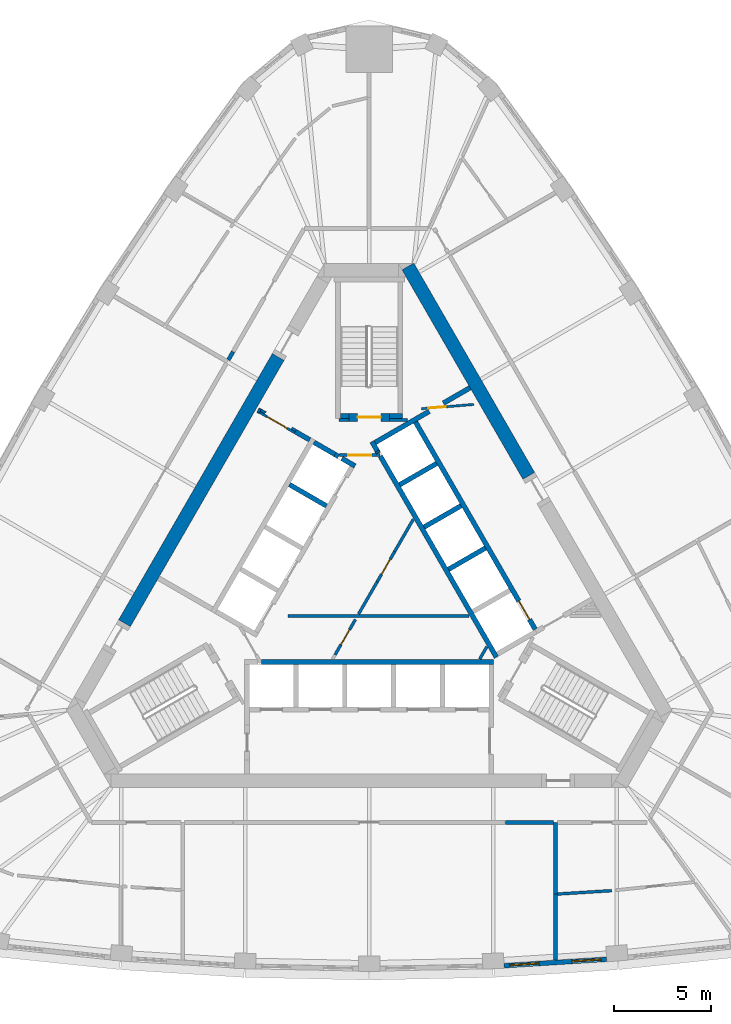
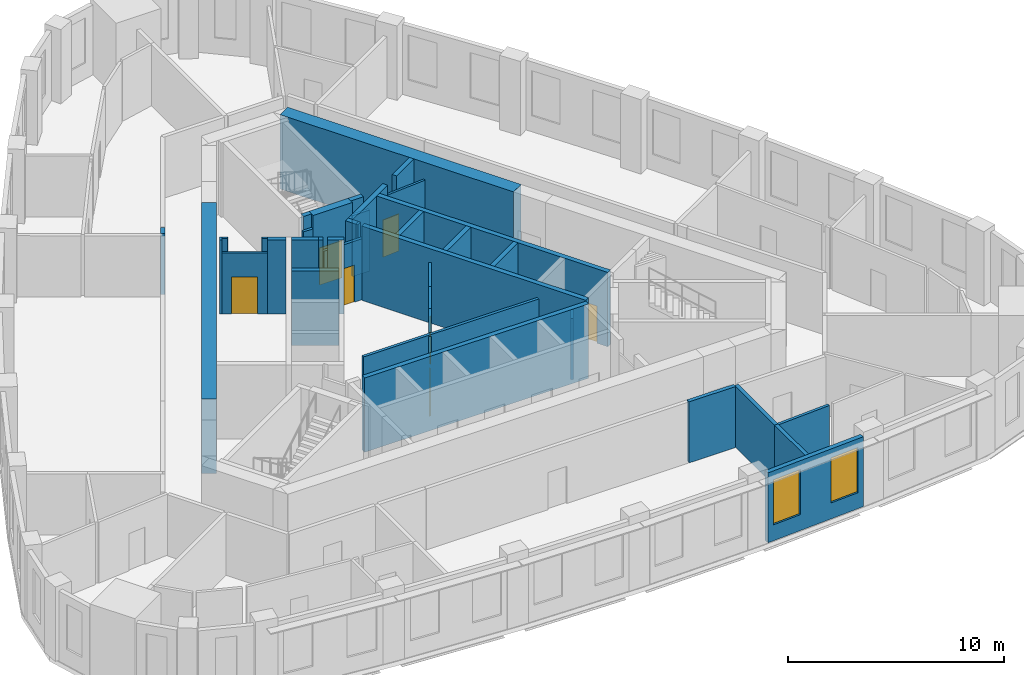
# One storey, part 5 of 10: 40 walls, 7 doors, 2 windows, 9 openings.
"""IFC4 building model written with IfcOpenShell, lengths in metres."""

from ifc_helpers import new_model, si_unit, direction, frame, frame_2d, origin, place, context, subcontext, project, spatial, polyline, rectangle, outline, extrude, material, layer, layer_set, type_object, element, fill, save


model = new_model("IFC4")

# Units and contexts
model_context = context("Model", 3, precision=1e-05, world=origin(), true_north=direction((0.0, 1.0)))
body_context = subcontext(model_context, "Body", "Model", "MODEL_VIEW")
ifc_project = project(units=[si_unit("LENGTHUNIT", "METRE"), si_unit("AREAUNIT", "SQUARE_METRE"), si_unit("VOLUMEUNIT", "CUBIC_METRE"), si_unit("PLANEANGLEUNIT", "RADIAN"), si_unit("MASSUNIT", "GRAM", prefix="KILO")], contexts=[model_context])

# Site, building, storey
site_placement = place(None, origin())
site = spatial("IfcSite", under=ifc_project, at=site_placement, CompositionType="ELEMENT")
building_placement = place(site_placement, origin())
building = spatial("IfcBuilding", under=site, at=building_placement, Name="Mestral Congress Tower", CompositionType="ELEMENT")
storey_placement = place(building_placement, frame((0.0, 0.0, 243.60009765625)))
storey = spatial("IfcBuildingStorey", under=building, at=storey_placement, Name="L57", CompositionType="ELEMENT", Elevation=243.60009765625)

# Walls
ifc_material_1 = material(Name="Fire-rated board partition")
ifc_layer_1 = layer(ifc_material_1, 0.14990234375)
ifc_layer_set_1 = layer_set([ifc_layer_1], Name="Fire-rated board partition")
wall_type_1 = type_object("IfcWallType", Name="Core partition 150", PredefinedType="PARTITIONING", material=ifc_layer_set_1)
wall_1_placement = place(storey_placement, frame((1.050048828125, 8.62548828125, 0.0), z_axis=(0.0, 0.0, 1.0), x_axis=(1.0, 0.0, 0.0)))
element("IfcWall", 1, at=wall_1_placement, inside=storey, type_object=wall_type_1, Name="L57 core wall", PredefinedType="PARTITIONING", context=body_context, shape_type="SweptSolid", body=[
    extrude(rectangle(XDim=0.9287109375, YDim=0.14990234375, at=frame_2d((0.46435546875, 0.0))), origin(), (0.0, 0.0, 1.0), 3.449951171875),
])
wall_2_placement = place(storey_placement, frame((-1.56396484375, 8.62548828125, 0.0), z_axis=(0.0, 0.0, 1.0), x_axis=(1.0, 0.0, 0.0)))
element("IfcWall", 2, at=wall_2_placement, inside=storey, type_object=wall_type_1, Name="L57 core wall", PredefinedType="PARTITIONING", context=body_context, shape_type="SweptSolid", body=[
    extrude(rectangle(XDim=0.513916015625, YDim=0.14990234375, at=frame_2d((0.2568359375, 0.0))), origin(), (0.0, 0.0, 1.0), 3.449951171875),
])
wall_3_placement = place(storey_placement, frame((5.704833984375, -3.718017578125, 0.0), z_axis=(0.0, 0.0, 1.0), x_axis=(0.499962090823, 0.866047289552, 0.0)))
element("IfcWall", 3, at=wall_3_placement, inside=storey, type_object=wall_type_1, Name="L57 core wall", PredefinedType="PARTITIONING", context=body_context, shape_type="SweptSolid", body=[
    extrude(rectangle(XDim=0.73486328125, YDim=0.14990234375, at=frame_2d((0.367431640625, 0.0))), origin(), (0.0, 0.0, 1.0), 3.449951171875),
])
wall_4_placement = place(storey_placement, frame((-4.199951171875, -1.5, 0.0), z_axis=(0.0, 0.0, 1.0), x_axis=(1.0, 0.0, 0.0)))
element("IfcWall", 4, at=wall_4_placement, inside=storey, type_object=wall_type_1, Name="L57 core wall", PredefinedType="PARTITIONING", context=body_context, shape_type="SweptSolid", body=[
    extrude(rectangle(XDim=9.359375, YDim=0.14990234375, at=frame_2d((4.6796875, 0.0))), origin(), (0.0, 0.0, 1.0), 3.449951171875),
])
wall_5_placement = place(storey_placement, frame((-0.54443359375, -1.393310546875, 0.0), z_axis=(0.0, 0.0, 1.0), x_axis=(0.499928740635, 0.866066541489, 0.0)))
element("IfcWall", 5, at=wall_5_placement, inside=storey, type_object=wall_type_1, Name="L57 core wall", PredefinedType="PARTITIONING", context=body_context, shape_type="SweptSolid", body=[
    extrude(rectangle(XDim=1.912353515625, YDim=0.14990234375, at=frame_2d((0.9560546875, 0.0))), origin(), (0.0, 0.0, 1.0), 3.449951171875),
])
wall_6_placement = place(storey_placement, frame((1.311767578125, 1.822021484375, 0.0), z_axis=(0.0, 0.0, 1.0), x_axis=(0.500003549559, 0.866023354436, 0.0)))
element("IfcWall", 6, at=wall_6_placement, inside=storey, type_object=wall_type_1, Name="L57 core wall", PredefinedType="PARTITIONING", context=body_context, shape_type="SweptSolid", body=[
    extrude(rectangle(XDim=1.9296875, YDim=0.14990234375, at=frame_2d((0.96484375, 0.0))), origin(), (0.0, 0.0, 1.0), 3.449951171875),
])

# Wall, opening, door
wall_7_placement = place(storey_placement, frame((-1.759765625, -3.498046875, 0.0), z_axis=(0.0, 0.0, 1.0), x_axis=(0.499977374825, 0.866038466041, 0.0)))
wall_7 = element("IfcWall", 7, at=wall_7_placement, inside=storey, type_object=wall_type_1, Name="L57 door wall", PredefinedType="PARTITIONING", context=body_context, shape_type="SweptSolid", body=[
    extrude(rectangle(XDim=2.10009765625, YDim=0.14990234375, at=frame_2d((1.050048828125, 0.0))), origin(), (0.0, 0.0, 1.0), 3.449951171875),
])
opening_1_placement = place(wall_7_placement, frame((0.60009765625, 0.0, 0.0)))
opening_1 = element("IfcOpeningElement", 8, at=opening_1_placement, cuts=wall_7, Name="Opening CD1-HUB0", PredefinedType="OPENING", context=body_context, shape_type="SweptSolid", body=[
    extrude(rectangle(XDim=0.89990234375, YDim=2.10009765625, at=frame_2d((0.449951171875, 1.050048828125))), frame((0.0, 0.0849609375, 0.0), z_axis=(0.0, -1.0, 0.0), x_axis=(1.0, 0.0, 0.0)), (0.0, 0.0, 1.0), 0.169921875),
])
ifc_material_2 = material(Name="Fire-rated steel door set", Category="steel")
door_type_1 = type_object("IfcDoorType", Name="Core door CD 900x2100", OperationType="SINGLE_SWING_LEFT", PredefinedType="DOOR", material=ifc_material_2)
door_1_placement = place(opening_1_placement, origin())
door_1 = element("IfcDoor", 9, at=door_1_placement, inside=storey, type_object=door_type_1, Name="Door CD1-HUB0", OperationType="SINGLE_SWING_LEFT", OverallHeight=2.10009765625, OverallWidth=0.89990234375, PredefinedType="DOOR", context=body_context, shape_type="SweptSolid", body=[
    extrude(rectangle(XDim=0.89990234375, YDim=2.10009765625, at=frame_2d((0.449951171875, 1.050048828125))), frame((0.0, 0.02490234375, 0.0), z_axis=(0.0, -1.0, 0.0), x_axis=(1.0, 0.0, 0.0)), (0.0, 0.0, 1.0), 0.050048828125),
])
fill(opening_1, door_1)

wall_8_placement = place(storey_placement, frame((-1.534423828125, 6.800048828125, 0.0), z_axis=(0.0, 0.0, 1.0), x_axis=(1.0, 0.0, 0.0)))
wall_8 = element("IfcWall", 10, at=wall_8_placement, inside=storey, type_object=wall_type_1, Name="L57 door wall", PredefinedType="PARTITIONING", context=body_context, shape_type="SweptSolid", body=[
    extrude(rectangle(XDim=2.099853515625, YDim=0.14990234375, at=frame_2d((1.0498046875, 0.0))), origin(), (0.0, 0.0, 1.0), 3.449951171875),
])
opening_2_placement = place(wall_8_placement, frame((0.449951171875, 0.0, 0.0)))
opening_2 = element("IfcOpeningElement", 11, at=opening_2_placement, cuts=wall_8, Name="Opening CD2-FF", PredefinedType="OPENING", context=body_context, shape_type="SweptSolid", body=[
    extrude(rectangle(XDim=1.199951171875, YDim=2.10009765625, at=frame_2d((0.60009765625, 1.050048828125))), frame((0.0, 0.0849609375, 0.0), z_axis=(0.0, -1.0, 0.0), x_axis=(1.0, 0.0, 0.0)), (0.0, 0.0, 1.0), 0.169921875),
])
door_type_2 = type_object("IfcDoorType", Name="Core door CD 1200x2100", OperationType="SINGLE_SWING_LEFT", PredefinedType="DOOR", material=ifc_material_2)
door_2_placement = place(opening_2_placement, origin())
door_2 = element("IfcDoor", 12, at=door_2_placement, inside=storey, type_object=door_type_2, Name="Door CD2-FF", OperationType="SINGLE_SWING_LEFT", OverallHeight=2.10009765625, OverallWidth=1.199951171875, PredefinedType="DOOR", context=body_context, shape_type="SweptSolid", body=[
    extrude(rectangle(XDim=1.199951171875, YDim=2.10009765625, at=frame_2d((0.60009765625, 1.050048828125))), frame((0.0, 0.02490234375, 0.0), z_axis=(0.0, -1.0, 0.0), x_axis=(1.0, 0.0, 0.0)), (0.0, 0.0, 1.0), 0.050048828125),
])
fill(opening_2, door_2)

wall_9_placement = place(storey_placement, frame((0.41162109375, 0.26318359375, 0.0), z_axis=(0.0, 0.0, 1.0), x_axis=(0.500062916607, 0.865989075817, 0.0)))
wall_9 = element("IfcWall", 13, at=wall_9_placement, inside=storey, type_object=wall_type_1, Name="L57 door wall", PredefinedType="PARTITIONING", context=body_context, shape_type="SweptSolid", body=[
    extrude(rectangle(XDim=1.800048828125, YDim=0.14990234375, at=frame_2d((0.89990234375, 0.0))), origin(), (0.0, 0.0, 1.0), 3.449951171875),
])
opening_3_placement = place(wall_9_placement, frame((0.449951171875, 0.0, 0.0)))
opening_3 = element("IfcOpeningElement", 14, at=opening_3_placement, cuts=wall_9, Name="Opening SD-HUB1", PredefinedType="OPENING", context=body_context, shape_type="SweptSolid", body=[
    extrude(rectangle(XDim=0.89990234375, YDim=2.10009765625, at=frame_2d((0.449951171875, 1.050048828125))), frame((0.0, 0.0849609375, 0.0), z_axis=(0.0, -1.0, 0.0), x_axis=(1.0, 0.0, 0.0)), (0.0, 0.0, 1.0), 0.169921875),
])
door_type_3 = type_object("IfcDoorType", Name="Core door SR 900x2100", OperationType="SINGLE_SWING_LEFT", PredefinedType="DOOR", material=ifc_material_2)
door_3_placement = place(opening_3_placement, origin())
door_3 = element("IfcDoor", 15, at=door_3_placement, inside=storey, type_object=door_type_3, Name="Door SD-HUB1", OperationType="SINGLE_SWING_LEFT", OverallHeight=2.10009765625, OverallWidth=0.89990234375, PredefinedType="DOOR", context=body_context, shape_type="SweptSolid", body=[
    extrude(rectangle(XDim=0.89990234375, YDim=2.10009765625, at=frame_2d((0.449951171875, 1.050048828125))), frame((0.0, 0.02490234375, 0.0), z_axis=(0.0, -1.0, 0.0), x_axis=(1.0, 0.0, 0.0)), (0.0, 0.0, 1.0), 0.050048828125),
])
fill(opening_3, door_3)

ifc_layer_2 = layer(ifc_material_1, 0.1201171875)
ifc_layer_set_2 = layer_set([ifc_layer_2], Name="Fire-rated board partition")
wall_type_2 = type_object("IfcWallType", Name="Core partition 150 door-wall 120", PredefinedType="PARTITIONING", material=ifc_layer_set_2)
wall_10_placement = place(storey_placement, frame((5.3984375, 9.418701171875, 0.0), z_axis=(0.0, 0.0, 1.0), x_axis=(-0.996653416376, -0.081743303248, 0.0)))
wall_10 = element("IfcWall", 16, at=wall_10_placement, inside=storey, type_object=wall_type_2, Name="L57 door wall", PredefinedType="PARTITIONING", context=body_context, shape_type="SweptSolid", body=[
    extrude(rectangle(XDim=2.699951171875, YDim=0.119873046875, at=frame_2d((1.35009765625, 0.0))), origin(), (0.0, 0.0, 1.0), 3.449951171875),
])
opening_4_placement = place(wall_10_placement, frame((1.449951171875, 0.0, 0.0)))
opening_4 = element("IfcOpeningElement", 17, at=opening_4_placement, cuts=wall_10, Name="Opening TD2", PredefinedType="OPENING", context=body_context, shape_type="SweptSolid", body=[
    extrude(rectangle(XDim=0.89990234375, YDim=2.10009765625, at=frame_2d((0.449951171875, 1.050048828125))), frame((0.0, 0.06982421875, 0.0), z_axis=(0.0, -1.0, 0.0), x_axis=(1.0, 0.0, 0.0)), (0.0, 0.0, 1.0), 0.139892578125),
])
door_4_placement = place(opening_4_placement, origin())
door_4 = element("IfcDoor", 18, at=door_4_placement, inside=storey, type_object=door_type_3, Name="Door TD2", OperationType="SINGLE_SWING_LEFT", OverallHeight=2.10009765625, OverallWidth=0.89990234375, PredefinedType="DOOR", context=body_context, shape_type="SweptSolid", body=[
    extrude(rectangle(XDim=0.89990234375, YDim=2.10009765625, at=frame_2d((0.449951171875, 1.050048828125))), frame((0.0, 0.02490234375, 0.0), z_axis=(0.0, -1.0, 0.0), x_axis=(1.0, 0.0, 0.0)), (0.0, 0.0, 1.0), 0.050048828125),
])
fill(opening_4, door_4)

wall_11_placement = place(storey_placement, frame((-5.65869140625, 9.01171875, 0.0), z_axis=(0.0, 0.0, 1.0), x_axis=(0.866009402589, -0.500027713859, 0.0)))
wall_11 = element("IfcWall", 19, at=wall_11_placement, inside=storey, type_object=wall_type_2, Name="L57 door wall", PredefinedType="PARTITIONING", context=body_context, shape_type="SweptSolid", body=[
    extrude(rectangle(XDim=2.10009765625, YDim=0.1201171875, at=frame_2d((1.050048828125, 0.0))), origin(), (0.0, 0.0, 1.0), 3.449951171875),
])
opening_5_placement = place(wall_11_placement, frame((0.449951171875, 0.0, 0.0)))
opening_5 = element("IfcOpeningElement", 20, at=opening_5_placement, cuts=wall_11, Name="Opening LB2-WL2", PredefinedType="OPENING", context=body_context, shape_type="SweptSolid", body=[
    extrude(rectangle(XDim=1.199951171875, YDim=2.10009765625, at=frame_2d((0.60009765625, 1.050048828125))), frame((0.0, 0.070068359375, 0.0), z_axis=(0.0, -1.0, 0.0), x_axis=(1.0, 0.0, 0.0)), (0.0, 0.0, 1.0), 0.14013671875),
])
door_type_4 = type_object("IfcDoorType", Name="Core door LB 1200x2100", OperationType="SINGLE_SWING_LEFT", PredefinedType="DOOR", material=ifc_material_2)
door_5_placement = place(opening_5_placement, origin())
door_5 = element("IfcDoor", 21, at=door_5_placement, inside=storey, type_object=door_type_4, Name="Door LB2-WL2", OperationType="SINGLE_SWING_LEFT", OverallHeight=2.10009765625, OverallWidth=1.199951171875, PredefinedType="DOOR", context=body_context, shape_type="SweptSolid", body=[
    extrude(rectangle(XDim=1.199951171875, YDim=2.10009765625, at=frame_2d((0.60009765625, 1.050048828125))), frame((0.0, 0.02490234375, 0.0), z_axis=(0.0, -1.0, 0.0), x_axis=(1.0, 0.0, 0.0)), (0.0, 0.0, 1.0), 0.050048828125),
])
fill(opening_5, door_5)

# Walls
ifc_material_3 = material(Name="Concrete C60/75", Category="concrete")
ifc_layer_3 = layer(ifc_material_3, 0.699951171875)
ifc_layer_set_3 = layer_set([ifc_layer_3], Name="Concrete C60/75")
wall_type_3 = type_object("IfcWallType", Name="Core wall RC 700", PredefinedType="SOLIDWALL", material=ifc_layer_set_3)
wall_12_placement = place(storey_placement, frame((8.235107421875, 5.736083984375, 0.0), z_axis=(0.0, 0.0, 1.0), x_axis=(-0.499983401189, 0.8660349869, 0.0)))
element("IfcWall", 22, at=wall_12_placement, inside=storey, type_object=wall_type_3, Name="L57 core wall", PredefinedType="SOLIDWALL", context=body_context, shape_type="SweptSolid", body=[
    extrude(rectangle(XDim=12.47216796875, YDim=0.699951171875, at=frame_2d((6.236083984375, 0.0))), origin(), (0.0, 0.0, 1.0), 4.199951171875),
])
wall_13_placement = place(storey_placement, frame((-12.624755859375, -1.866943359375, 0.0), z_axis=(0.0, 0.0, 1.0), x_axis=(0.499996974394, 0.866027150612, 0.0)))
element("IfcWall", 23, at=wall_13_placement, inside=storey, type_object=wall_type_3, Name="L57 core wall", PredefinedType="SOLIDWALL", context=body_context, shape_type="SweptSolid", body=[
    extrude(rectangle(XDim=15.8583984375, YDim=0.699951171875, at=frame_2d((7.92919921875, 0.0))), origin(), (0.0, 0.0, 1.0), 4.199951171875),
])

# Wall, openings, windows
ifc_material_4 = material(Name="Precast concrete C40/50 with limestone facing", Category="masonry")
ifc_layer_4 = layer(ifc_material_4, 0.239990234375)
ifc_layer_set_4 = layer_set([ifc_layer_4], Name="Precast concrete C40/50 with limestone facing")
wall_type_4 = type_object("IfcWallType", Name="Facade stone wall 240", PredefinedType="SOLIDWALL", material=ifc_layer_set_4)
wall_14_placement = place(storey_placement, frame((6.965087890625, -19.54296875, 0.0), z_axis=(0.0, 0.0, 1.0), x_axis=(0.9980633213, 0.062206162685, 0.0)))
wall_14 = element("IfcWall", 24, at=wall_14_placement, inside=storey, type_object=wall_type_4, Name="Facade wall F0-04", PredefinedType="SOLIDWALL", context=body_context, shape_type="SweptSolid", body=[
    extrude(rectangle(XDim=5.29833984375, YDim=0.239990234375, at=frame_2d((2.649169921875, 0.0))), origin(), (0.0, 0.0, 1.0), 3.949951171875),
])
opening_6_placement = place(wall_14_placement, frame((0.294677734375, 0.0, 0.89990234375)))
opening_6 = element("IfcOpeningElement", 25, at=opening_6_placement, cuts=wall_14, Name="Opening W4", PredefinedType="OPENING", context=body_context, shape_type="SweptSolid", body=[
    extrude(rectangle(XDim=1.5, YDim=2.550048828125, at=frame_2d((0.75, 1.27490234375))), frame((0.0, 0.1298828125, 0.0), z_axis=(0.0, -1.0, 0.0), x_axis=(1.0, 0.0, 0.0)), (0.0, 0.0, 1.0), 0.260009765625),
])
opening_7_placement = place(wall_14_placement, frame((3.503662109375, 0.0, 0.89990234375)))
opening_7 = element("IfcOpeningElement", 26, at=opening_7_placement, cuts=wall_14, Name="Opening W4", PredefinedType="OPENING", context=body_context, shape_type="SweptSolid", body=[
    extrude(rectangle(XDim=1.5, YDim=2.550048828125, at=frame_2d((0.75, 1.27490234375))), frame((0.0, 0.1298828125, 0.0), z_axis=(0.0, -1.0, 0.0), x_axis=(1.0, 0.0, 0.0)), (0.0, 0.0, 1.0), 0.260009765625),
])
ifc_material_5 = material(Name="Clear low-emissivity double glazing", Category="glass")
window_type = type_object("IfcWindowType", Name="Facade punched window 1500 x 2550 sill 900", PartitioningType="SINGLE_PANEL", PredefinedType="WINDOW", material=ifc_material_5)
window_1_placement = place(opening_6_placement, origin())
window_1 = element("IfcWindow", 27, at=window_1_placement, inside=storey, type_object=window_type, Name="Window F0-04a", OverallHeight=2.550048828125, OverallWidth=1.5, PartitioningType="SINGLE_PANEL", PredefinedType="WINDOW", context=body_context, shape_type="SweptSolid", body=[
    extrude(rectangle(XDim=1.5, YDim=2.550048828125, at=frame_2d((0.75, 1.27490234375))), frame((0.0, 0.0400390625, 0.0), z_axis=(0.0, -1.0, 0.0), x_axis=(1.0, 0.0, 0.0)), (0.0, 0.0, 1.0), 0.06005859375),
])
fill(opening_6, window_1)
window_2_placement = place(opening_7_placement, origin())
window_2 = element("IfcWindow", 28, at=window_2_placement, inside=storey, type_object=window_type, Name="Window F0-04b", OverallHeight=2.550048828125, OverallWidth=1.5, PartitioningType="SINGLE_PANEL", PredefinedType="WINDOW", context=body_context, shape_type="SweptSolid", body=[
    extrude(rectangle(XDim=1.5, YDim=2.550048828125, at=frame_2d((0.75, 1.27490234375))), frame((0.0, 0.0400390625, 0.0), z_axis=(0.0, -1.0, 0.0), x_axis=(1.0, 0.0, 0.0)), (0.0, 0.0, 1.0), 0.06005859375),
])
fill(opening_7, window_2)

# Walls
ifc_material_6 = material(Name="Plasterboard partition on steel studs", Category="steel")
ifc_layer_5 = layer(ifc_material_6, 0.14990234375)
ifc_layer_set_5 = layer_set([ifc_layer_5], Name="Plasterboard partition on steel studs")
wall_type_5 = type_object("IfcWallType", Name="Office partition 150", PredefinedType="PARTITIONING", material=ifc_layer_set_5)
wall_15_placement = place(storey_placement, frame((9.7197265625, -15.844482421875, 0.0), z_axis=(0.0, 0.0, 1.0), x_axis=(0.998063411199, 0.062204720286, 0.0)))
element("IfcWall", 29, at=wall_15_placement, inside=storey, type_object=wall_type_5, Name="Partition", PredefinedType="PARTITIONING", context=body_context, shape_type="SweptSolid", body=[
    extrude(rectangle(XDim=2.80224609375, YDim=0.14990234375, at=frame_2d((1.401123046875, 0.0))), origin(), (0.0, 0.0, 1.0), 3.449951171875),
])
ifc_material_7 = material(Name="Dense masonry wall, plastered", Category="masonry")
ifc_layer_6 = layer(ifc_material_7, 0.199951171875)
ifc_layer_set_6 = layer_set([ifc_layer_6], Name="Dense masonry wall, plastered")
wall_type_6 = type_object("IfcWallType", Name="Office tenancy wall 200", PredefinedType="PARTITIONING", material=ifc_layer_set_6)
wall_16_placement = place(storey_placement, frame((9.61962890625, -15.8466796875, 0.0), z_axis=(0.0, 0.0, 1.0), x_axis=(0.0, -1.0, 0.0)))
element("IfcWall", 30, at=wall_16_placement, inside=storey, type_object=wall_type_6, Name="Tenancy wall", PredefinedType="PARTITIONING", context=body_context, shape_type="SweptSolid", body=[
    extrude(rectangle(XDim=3.41064453125, YDim=0.199951171875, at=frame_2d((1.705322265625, 0.0))), origin(), (0.0, 0.0, 1.0), 3.449951171875),
])
wall_17_placement = place(storey_placement, frame((9.61962890625, -12.14990234375, 0.0), z_axis=(0.0, 0.0, 1.0), x_axis=(0.0, -1.0, 0.0)))
element("IfcWall", 31, at=wall_17_placement, inside=storey, type_object=wall_type_6, Name="Tenancy wall", PredefinedType="PARTITIONING", context=body_context, shape_type="SweptSolid", body=[
    extrude(rectangle(XDim=3.704833984375, YDim=0.199951171875, at=frame_2d((1.8525390625, 0.0))), origin(), (0.0, 0.0, 1.0), 3.449951171875),
])
wall_18_placement = place(storey_placement, frame((7.030029296875, -12.14990234375, 0.0), z_axis=(0.0, 0.0, 1.0), x_axis=(1.0, 0.0, 0.0)))
element("IfcWall", 32, at=wall_18_placement, inside=storey, type_object=wall_type_6, Name="Tenancy wall", PredefinedType="PARTITIONING", context=body_context, shape_type="SweptSolid", body=[
    extrude(rectangle(XDim=2.48974609375, YDim=0.199951171875, at=frame_2d((1.244873046875, 0.0))), origin(), (0.0, 0.0, 1.0), 3.449951171875),
])
wall_19_placement = place(storey_placement, frame((-7.022216796875, 12.13720703125, 0.0), z_axis=(0.0, 0.0, 1.0), x_axis=(-0.500159754115, -0.865933150054, 0.0)))
element("IfcWall", 33, at=wall_19_placement, inside=storey, type_object=wall_type_6, Name="Tenancy wall", PredefinedType="PARTITIONING", context=body_context, shape_type="SweptSolid", body=[
    extrude(rectangle(XDim=0.483154296875, YDim=0.199951171875, at=frame_2d((0.24169921875, 0.0))), origin(), (0.0, 0.0, 1.0), 3.449951171875),
])
ifc_layer_7 = layer(ifc_material_3, 0.25)
ifc_layer_set_7 = layer_set([ifc_layer_7], Name="Concrete C60/75")
wall_type_7 = type_object("IfcWallType", Name="Shaft wall RC 250", PredefinedType="SOLIDWALL", material=ifc_layer_set_7)
wall_20_placement = place(storey_placement, frame((-5.544921875, -3.875, 0.0), z_axis=(0.0, 0.0, 1.0), x_axis=(1.0, 0.0, 0.0)))
element("IfcWall", 34, at=wall_20_placement, inside=storey, type_object=wall_type_7, Name="L57 core wall", PredefinedType="SOLIDWALL", context=body_context, shape_type="SweptSolid", body=[
    extrude(rectangle(XDim=11.969970703125, YDim=0.25, at=frame_2d((5.98486328125, 0.0))), origin(), (0.0, 0.0, 1.0), 4.199951171875),
])
wall_21_placement = place(storey_placement, frame((0.473388671875, 6.93017578125, 0.0), z_axis=(0.0, 0.0, 1.0), x_axis=(-0.49972245349, 0.866185586049, 0.0)))
element("IfcWall", 35, at=wall_21_placement, inside=storey, type_object=wall_type_7, Name="L57 core wall", PredefinedType="SOLIDWALL", context=body_context, shape_type="SweptSolid", body=[
    extrude(rectangle(XDim=0.10986328125, YDim=0.25, at=frame_2d((0.054931640625, 0.0))), origin(), (0.0, 0.0, 1.0), 4.199951171875),
])
wall_22_placement = place(storey_placement, frame((6.568359375, -3.626708984375, 0.0), z_axis=(0.0, 0.0, 1.0), x_axis=(-0.499999455981, 0.866025717874, 0.0)))
element("IfcWall", 36, at=wall_22_placement, inside=storey, type_object=wall_type_7, Name="L57 core wall", PredefinedType="SOLIDWALL", context=body_context, shape_type="SweptSolid", body=[
    extrude(rectangle(XDim=11.97802734375, YDim=0.25, at=frame_2d((5.989013671875, 0.0))), origin(), (0.0, 0.0, 1.0), 4.199951171875),
])
wall_23_placement = place(storey_placement, frame((0.41748046875, 7.027099609375, 0.0), z_axis=(0.0, 0.0, 1.0), x_axis=(-0.500210807569, 0.865903659763, 0.0)))
element("IfcWall", 37, at=wall_23_placement, inside=storey, type_object=wall_type_7, Name="L57 core wall", PredefinedType="SOLIDWALL", context=body_context, shape_type="SweptSolid", body=[
    extrude(rectangle(XDim=0.548095703125, YDim=0.25, at=frame_2d((0.27392578125, 0.0))), origin(), (0.0, 0.0, 1.0), 4.199951171875),
])
wall_24_placement = place(storey_placement, frame((3.10009765625, 9.064453125, 0.0), z_axis=(0.0, 0.0, 1.0), x_axis=(-0.866030133475, -0.499991807846, 0.0)))
element("IfcWall", 38, at=wall_24_placement, inside=storey, type_object=wall_type_7, Name="L57 core wall", PredefinedType="SOLIDWALL", context=body_context, shape_type="SweptSolid", body=[
    extrude(rectangle(XDim=3.216796875, YDim=0.25, at=frame_2d((1.6083984375, 0.0))), origin(), (0.0, 0.0, 1.0), 4.199951171875),
])
wall_25_placement = place(storey_placement, frame((1.57421875, 5.273681640625, 0.0), z_axis=(0.0, 0.0, 1.0), x_axis=(0.866028486751, 0.499994660107, 0.0)))
element("IfcWall", 39, at=wall_25_placement, inside=storey, type_object=wall_type_7, Name="L57 core wall", PredefinedType="SOLIDWALL", context=body_context, shape_type="SweptSolid", body=[
    extrude(rectangle(XDim=2.19970703125, YDim=0.25, at=frame_2d((1.099853515625, 0.0))), origin(), (0.0, 0.0, 1.0), 4.199951171875),
])
for number, where, z_axis, x_axis, name in (
    (40, (2.833984375, 3.091064453125, 0.0), (0.0, 0.0, 1.0), (0.866008176907, 0.50002983664, 0.0), "L57 core wall"),
    (41, (4.093994140625, 0.90869140625, 0.0), (0.0, 0.0, 1.0), (0.866008176907, 0.50002983664, 0.0), "L57 core wall"),
):
    element("IfcWall", number, at=place(storey_placement, frame(where, z_axis=z_axis, x_axis=x_axis)), inside=storey, type_object=wall_type_7, Name=name, PredefinedType="SOLIDWALL", context=body_context, shape_type="SweptSolid", body=[
        extrude(rectangle(XDim=2.199951171875, YDim=0.25, at=frame_2d((1.10009765625, 0.0))), origin(), (0.0, 0.0, 1.0), 4.199951171875),
    ])
wall_26_placement = place(storey_placement, frame((3.82958984375, 9.485595703125, 0.0), z_axis=(0.0, 0.0, 1.0), x_axis=(0.865986202621, 0.500067892261, 0.0)))
element("IfcWall", 42, at=wall_26_placement, inside=storey, type_object=wall_type_7, Name="L57 core wall", PredefinedType="SOLIDWALL", context=body_context, shape_type="SweptSolid", body=[
    extrude(rectangle(XDim=1.590576171875, YDim=0.25, at=frame_2d((0.79541015625, 0.0))), origin(), (0.0, 0.0, 1.0), 4.199951171875),
])
wall_27_placement = place(storey_placement, frame((-1.75830078125, 6.834716796875, 0.0), z_axis=(0.0, 0.0, 1.0), x_axis=(0.865982457891, -0.500074377092, 0.0)))
element("IfcWall", 43, at=wall_27_placement, inside=storey, type_object=wall_type_7, Name="L57 core wall", PredefinedType="SOLIDWALL", context=body_context, shape_type="SweptSolid", body=[
    extrude(rectangle(XDim=0.2001953125, YDim=0.25, at=frame_2d((0.10009765625, 0.0))), origin(), (0.0, 0.0, 1.0), 4.199951171875),
])
wall_28_placement = place(storey_placement, frame((-1.760009765625, 6.835693359375, 0.0), z_axis=(0.0, 0.0, 1.0), x_axis=(-0.865952863304, 0.500125622755, 0.0)))
element("IfcWall", 44, at=wall_28_placement, inside=storey, type_object=wall_type_7, Name="L57 core wall", PredefinedType="SOLIDWALL", context=body_context, shape_type="SweptSolid", body=[
    extrude(rectangle(XDim=1.258056640625, YDim=0.25, at=frame_2d((0.62890625, 0.0))), origin(), (0.0, 0.0, 1.0), 4.199951171875),
])
wall_29_placement = place(storey_placement, frame((-0.7275390625, 6.23974609375, 0.0), z_axis=(0.0, 0.0, 1.0), x_axis=(-0.865955664968, 0.500120771724, 0.0)))
element("IfcWall", 45, at=wall_29_placement, inside=storey, type_object=wall_type_7, Name="L57 core wall", PredefinedType="SOLIDWALL", context=body_context, shape_type="SweptSolid", body=[
    extrude(rectangle(XDim=0.778076171875, YDim=0.25, at=frame_2d((0.38916015625, 0.0))), origin(), (0.0, 0.0, 1.0), 4.199951171875),
])
wall_30_placement = place(storey_placement, frame((-2.2041015625, 4.182373046875, 0.0), z_axis=(0.0, 0.0, 1.0), x_axis=(-0.866008176907, 0.50002983664, 0.0)))
element("IfcWall", 46, at=wall_30_placement, inside=storey, type_object=wall_type_7, Name="L57 core wall", PredefinedType="SOLIDWALL", context=body_context, shape_type="SweptSolid", body=[
    extrude(rectangle(XDim=2.199951171875, YDim=0.25, at=frame_2d((1.10009765625, 0.0))), origin(), (0.0, 0.0, 1.0), 4.199951171875),
])
wall_31_placement = place(storey_placement, frame((-5.724609375, 9.124755859375, 0.0), z_axis=(0.0, 0.0, 1.0), x_axis=(0.866185586049, -0.49972245349, 0.0)))
element("IfcWall", 47, at=wall_31_placement, inside=storey, type_object=wall_type_7, Name="L57 core wall", PredefinedType="SOLIDWALL", context=body_context, shape_type="SweptSolid", body=[
    extrude(rectangle(XDim=0.10986328125, YDim=0.25, at=frame_2d((0.054931640625, 0.0))), origin(), (0.0, 0.0, 1.0), 4.199951171875),
])
wall_32_placement = place(storey_placement, frame((-3.06591796875, 7.58984375, 0.0), z_axis=(0.0, 0.0, 1.0), x_axis=(-0.866081358704, 0.49990307071, 0.0)))
element("IfcWall", 48, at=wall_32_placement, inside=storey, type_object=wall_type_7, Name="L57 core wall", PredefinedType="SOLIDWALL", context=body_context, shape_type="SweptSolid", body=[
    extrude(rectangle(XDim=0.858154296875, YDim=0.25, at=frame_2d((0.42919921875, 0.0))), origin(), (0.0, 0.0, 1.0), 4.199951171875),
])
placement = place(storey_placement, origin())
element("IfcWall", 49, at=placement, inside=storey, type_object=wall_type_7, Name="L57 core wall", PredefinedType="SOLIDWALL", context=body_context, shape_type="SweptSolid", body=[
    extrude(outline(polyline([(-3.748291015625, 8.1279296875), (-3.813232421875, 8.015380859375), (-4.026611328125, 8.138671875), (-4.0166015625, 8.156005859375), (-4.007568359375, 8.17333984375), (-4.000244140625, 8.191650390625), (-3.994873046875, 8.21044921875), (-3.991455078125, 8.229736328125), (-3.98974609375, 8.24951171875), (-3.989990234375, 8.267578125), (-3.748291015625, 8.1279296875)])), origin(), (0.0, 0.0, 1.0), 4.199951171875),
])
element("IfcWall", 50, at=placement, inside=storey, type_object=wall_type_7, Name="L57 core wall", PredefinedType="SOLIDWALL", context=body_context, shape_type="SweptSolid", body=[
    extrude(outline(polyline([(-5.688720703125, 8.959716796875), (-5.690185546875, 8.960693359375), (-5.565185546875, 9.177001953125), (-5.318603515625, 9.03466796875), (-5.334716796875, 9.02587890625), (-5.3505859375, 9.0146484375), (-5.36572265625, 9.001953125), (-5.37939453125, 8.98779296875), (-5.3916015625, 8.972412109375), (-5.402099609375, 8.955810546875), (-5.412109375, 8.938720703125), (-5.628662109375, 9.063720703125), (-5.628662109375, 9.063720703125), (-5.688720703125, 8.959716796875)])), origin(), (0.0, 0.0, 1.0), 4.199951171875),
])

# Wall, opening, door
wall_35_placement = place(storey_placement, frame((8.565185546875, -2.185302734375, 0.0), z_axis=(0.0, 0.0, 1.0), x_axis=(-0.499997954832, 0.866026584559, 0.0)))
wall_35 = element("IfcWall", 51, at=wall_35_placement, inside=storey, type_object=wall_type_7, Name="L57 door wall", PredefinedType="SOLIDWALL", context=body_context, shape_type="SweptSolid", body=[
    extrude(rectangle(XDim=12.35009765625, YDim=0.25, at=frame_2d((6.175048828125, 0.0))), origin(), (0.0, 0.0, 1.0), 4.199951171875),
])
opening_8_placement = place(wall_35_placement, frame((0.5849609375, 0.0, 0.0)))
opening_8 = element("IfcOpeningElement", 52, at=opening_8_placement, cuts=wall_35, Name="Opening LD-NEB1", PredefinedType="OPENING", context=body_context, shape_type="SweptSolid", body=[
    extrude(rectangle(XDim=1.10009765625, YDim=2.10009765625, at=frame_2d((0.550048828125, 1.050048828125))), frame((0.0, 0.135009765625, 0.0), z_axis=(0.0, -1.0, 0.0), x_axis=(1.0, 0.0, 0.0)), (0.0, 0.0, 1.0), 0.27001953125),
])
door_type_5 = type_object("IfcDoorType", Name="Core door LD 1100x2100", OperationType="DOUBLE_DOOR_SLIDING", PredefinedType="DOOR", material=ifc_material_2)
door_6_placement = place(opening_8_placement, origin())
door_6 = element("IfcDoor", 53, at=door_6_placement, inside=storey, type_object=door_type_5, Name="Door LD-NEB1", OperationType="DOUBLE_DOOR_SLIDING", OverallHeight=2.10009765625, OverallWidth=1.10009765625, PredefinedType="DOOR", context=body_context, shape_type="SweptSolid", body=[
    extrude(rectangle(XDim=1.10009765625, YDim=2.10009765625, at=frame_2d((0.550048828125, 1.050048828125))), frame((0.0, 0.02490234375, 0.0), z_axis=(0.0, -1.0, 0.0), x_axis=(1.0, 0.0, 0.0)), (0.0, 0.0, 1.0), 0.050048828125),
])
fill(opening_8, door_6)

# Walls
ifc_layer_8 = layer(ifc_material_3, 0.25)
ifc_layer_set_8 = layer_set([ifc_layer_8], Name="Concrete C60/75")
wall_type_8 = type_object("IfcWallType", Name="Stair wall RC 250", PredefinedType="SOLIDWALL", material=ifc_layer_set_8)
wall_36_placement = place(storey_placement, frame((1.050048828125, 8.824951171875, 0.0), z_axis=(0.0, 0.0, 1.0), x_axis=(1.0, 0.0, 0.0)))
element("IfcWall", 54, at=wall_36_placement, inside=storey, type_object=wall_type_8, Name="L57 core wall", PredefinedType="SOLIDWALL", context=body_context, shape_type="SweptSolid", body=[
    extrude(rectangle(XDim=0.675048828125, YDim=0.25, at=frame_2d((0.33740234375, 0.0))), origin(), (0.0, 0.0, 1.0), 4.199951171875),
])
wall_37_placement = place(storey_placement, frame((-1.47509765625, 8.824951171875, 0.0), z_axis=(0.0, 0.0, 1.0), x_axis=(1.0, 0.0, 0.0)))
element("IfcWall", 55, at=wall_37_placement, inside=storey, type_object=wall_type_8, Name="L57 core wall", PredefinedType="SOLIDWALL", context=body_context, shape_type="SweptSolid", body=[
    extrude(rectangle(XDim=0.425048828125, YDim=0.25, at=frame_2d((0.21240234375, 0.0))), origin(), (0.0, 0.0, 1.0), 4.199951171875),
])

# Wall, opening, door
ifc_layer_9 = layer(ifc_material_3, 0.39990234375)
ifc_layer_set_9 = layer_set([ifc_layer_9], Name="Concrete C60/75")
wall_type_9 = type_object("IfcWallType", Name="Stair wall RC 250 door-wall 400", PredefinedType="SOLIDWALL", material=ifc_layer_set_9)
wall_38_placement = place(storey_placement, frame((1.050048828125, 8.75, 0.0), z_axis=(0.0, 0.0, 1.0), x_axis=(-1.0, 0.0, 0.0)))
wall_38 = element("IfcWall", 56, at=wall_38_placement, inside=storey, type_object=wall_type_9, Name="L57 door wall", PredefinedType="SOLIDWALL", context=body_context, shape_type="SweptSolid", body=[
    extrude(rectangle(XDim=2.10009765625, YDim=0.39990234375, at=frame_2d((1.050048828125, 0.0))), origin(), (0.0, 0.0, 1.0), 4.199951171875),
])
opening_9_placement = place(wall_38_placement, frame((0.449951171875, 0.0, 0.0)))
opening_9 = element("IfcOpeningElement", 57, at=opening_9_placement, cuts=wall_38, Name="Opening ST-D2", PredefinedType="OPENING", context=body_context, shape_type="SweptSolid", body=[
    extrude(rectangle(XDim=1.199951171875, YDim=2.10009765625, at=frame_2d((0.60009765625, 1.050048828125))), frame((0.0, 0.2099609375, 0.0), z_axis=(0.0, -1.0, 0.0), x_axis=(1.0, 0.0, 0.0)), (0.0, 0.0, 1.0), 0.419921875),
])
door_type_6 = type_object("IfcDoorType", Name="Core door ST 1200x2100", OperationType="SINGLE_SWING_LEFT", PredefinedType="DOOR", material=ifc_material_2)
door_7_placement = place(opening_9_placement, origin())
door_7 = element("IfcDoor", 58, at=door_7_placement, inside=storey, type_object=door_type_6, Name="Door ST-D2", OperationType="SINGLE_SWING_LEFT", OverallHeight=2.10009765625, OverallWidth=1.199951171875, PredefinedType="DOOR", context=body_context, shape_type="SweptSolid", body=[
    extrude(rectangle(XDim=1.199951171875, YDim=2.10009765625, at=frame_2d((0.60009765625, 1.050048828125))), frame((0.0, 0.02490234375, 0.0), z_axis=(0.0, -1.0, 0.0), x_axis=(1.0, 0.0, 0.0)), (0.0, 0.0, 1.0), 0.050048828125),
])
fill(opening_9, door_7)

save(model, "model.ifc")
